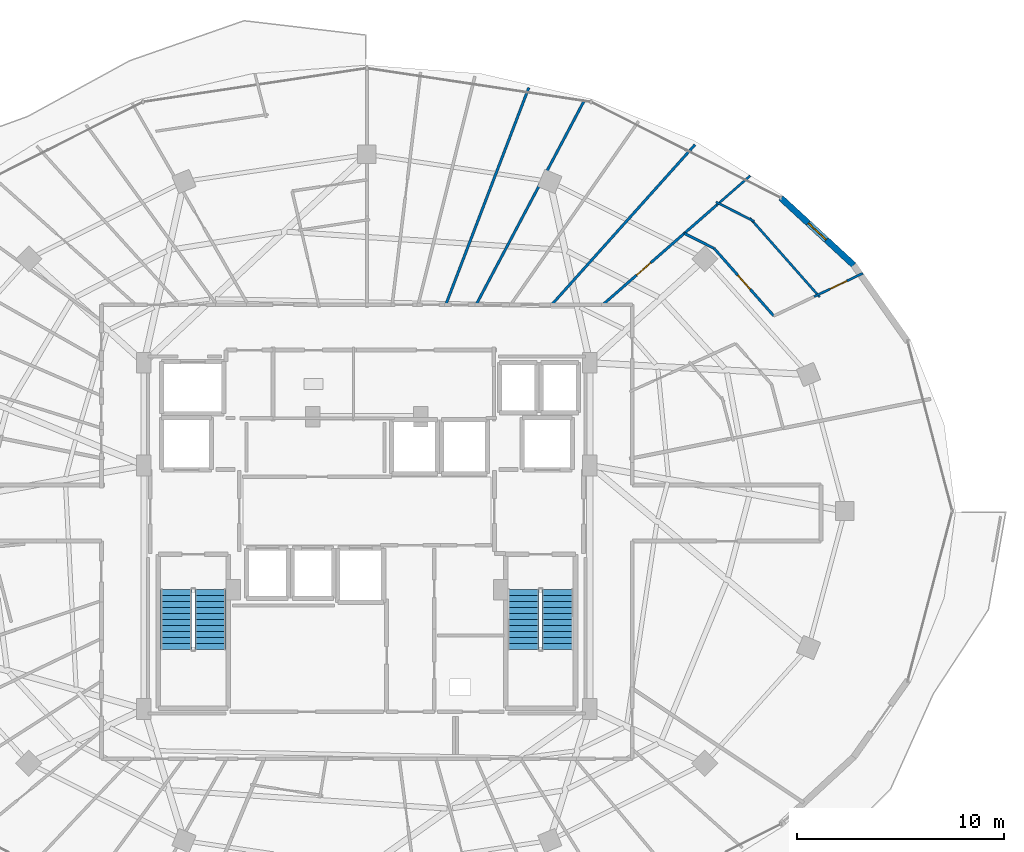
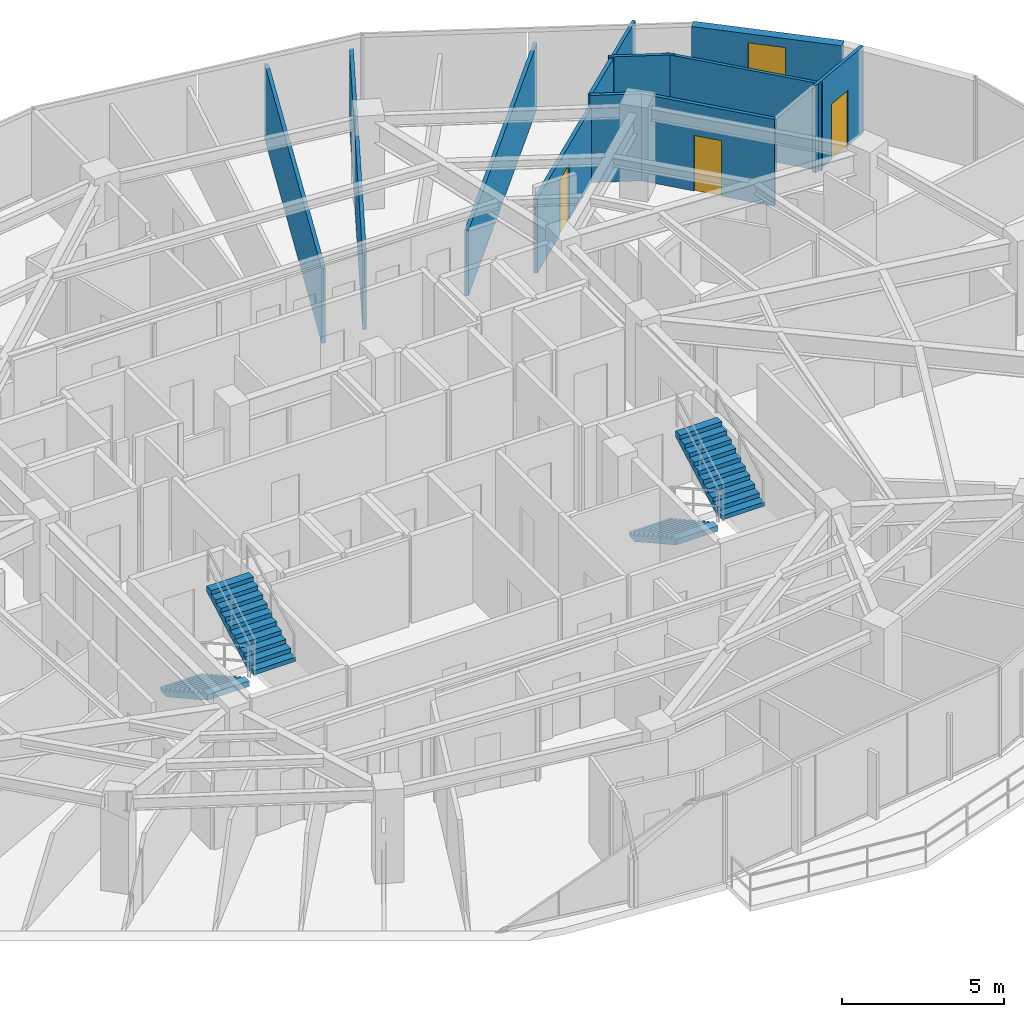
# One storey, part 30 of 34: 12 walls, 4 stair flights, 3 doors, 1 window, 4 openings, 2 elements without a shape of their own.
"""IFC4 building model written with IfcOpenShell, lengths in metres."""

from ifc_helpers import new_model, si_unit, direction, frame, frame_2d, origin, place, context, subcontext, project, spatial, polyline, rectangle, outline, extrude, material, layer, layer_set, type_object, element, fill, aggregate, save


model = new_model("IFC4")

# Units and contexts
model_context = context("Model", 3, precision=1e-05, world=origin(), true_north=direction((0.0, 1.0)))
body_context = subcontext(model_context, "Body", "Model", "MODEL_VIEW")
ifc_project = project(units=[si_unit("LENGTHUNIT", "METRE"), si_unit("AREAUNIT", "SQUARE_METRE"), si_unit("VOLUMEUNIT", "CUBIC_METRE"), si_unit("PLANEANGLEUNIT", "RADIAN"), si_unit("MASSUNIT", "GRAM", prefix="KILO")], contexts=[model_context])

# Site, building, storey
site_placement = place(None, origin())
site = spatial("IfcSite", under=ifc_project, at=site_placement, CompositionType="ELEMENT")
building_placement = place(site_placement, origin())
building = spatial("IfcBuilding", under=site, at=building_placement, Name="Vorneva Point Tower", CompositionType="ELEMENT")
storey_placement = place(building_placement, frame((0.0, 0.0, 210.75)))
storey = spatial("IfcBuildingStorey", under=building, at=storey_placement, Name="L57", CompositionType="ELEMENT", Elevation=210.75)

# Wall, opening, window
ifc_material_1 = material(Name="Precast concrete B50 (C40/50)", Category="concrete")
ifc_layer_1 = layer(ifc_material_1, 0.300048828125)
ifc_layer_set_1 = layer_set([ifc_layer_1], Name="Precast concrete B50 (C40/50)")
wall_type_1 = type_object("IfcWallType", Name="WL-EXT-300", PredefinedType="STANDARD", material=ifc_layer_set_1)
wall_1_placement = place(storey_placement, frame((61.472412109375, 37.861328125, 0.0), z_axis=(0.0, 0.0, 1.0), x_axis=(-0.735359993374, 0.677676678177, 0.0)))
wall_1 = element("IfcWall", 1, at=wall_1_placement, inside=storey, type_object=wall_type_1, Name="L57 Pale-Metal Facade Spandrel Wall 02.2", PredefinedType="STANDARD", context=body_context, shape_type="SweptSolid", body=[
    extrude(rectangle(XDim=4.774169921875, YDim=0.300048828125, at=frame_2d((2.38720703125, 0.0))), origin(), (0.0, 0.0, 1.0), 3.2900390625),
])
opening_1_placement = place(wall_1_placement, frame((1.787109375, 0.0, 0.85009765625)))
opening_1 = element("IfcOpeningElement", 2, at=opening_1_placement, cuts=wall_1, Name="Opening W-04", PredefinedType="OPENING", context=body_context, shape_type="SweptSolid", body=[
    extrude(rectangle(XDim=1.199951171875, YDim=2.10009765625, at=frame_2d((0.60009765625, 1.050048828125))), frame((0.0, 0.1650390625, 0.0), z_axis=(0.0, -1.0, 0.0), x_axis=(1.0, 0.0, 0.0)), (0.0, 0.0, 1.0), 0.329833984375),
])
ifc_material_2 = material(Name="Double low-e laminated glass IGU", Category="glass")
window_type = type_object("IfcWindowType", Name="WN-RES-1200", PartitioningType="SINGLE_PANEL", PredefinedType="WINDOW", material=ifc_material_2)
window_placement = place(opening_1_placement, origin())
window = element("IfcWindow", 3, at=window_placement, inside=storey, type_object=window_type, Name="L57 Facade Window 02", OverallHeight=2.10009765625, OverallWidth=1.199951171875, PartitioningType="SINGLE_PANEL", PredefinedType="WINDOW", context=body_context, shape_type="SweptSolid", body=[
    extrude(rectangle(XDim=1.199951171875, YDim=2.10009765625, at=frame_2d((0.60009765625, 1.050048828125))), frame((0.0, 0.030029296875, 0.0), z_axis=(0.0, -1.0, 0.0), x_axis=(1.0, 0.0, 0.0)), (0.0, 0.0, 1.0), 0.06005859375),
])
fill(opening_1, window)

# Wall, opening, door
ifc_material_3 = material(Name="Fire-rated acoustic gypsum stud partition", Category="gypsum")
ifc_layer_2 = layer(ifc_material_3, 0.110107421875)
ifc_layer_set_2 = layer_set([ifc_layer_2], Name="Fire-rated acoustic gypsum stud partition")
wall_type_2 = type_object("IfcWallType", Name="WL-PART-110", PredefinedType="PARTITIONING", material=ifc_layer_set_2)
wall_2_placement = place(storey_placement, frame((61.919189453125, 37.467529296875, 0.0), z_axis=(0.0, 0.0, 1.0), x_axis=(-0.901731167672, -0.432297237151, 0.0)))
wall_2 = element("IfcWall", 4, at=wall_2_placement, inside=storey, type_object=wall_type_2, Name="L57 Interior Partition 081", PredefinedType="PARTITIONING", context=body_context, shape_type="SweptSolid", body=[
    extrude(rectangle(XDim=2.616455078125, YDim=0.110107421875, at=frame_2d((1.30810546875, 0.0))), origin(), (0.0, 0.0, 1.0), 3.2900390625),
])
opening_2_placement = place(wall_2_placement, frame((0.858154296875, 0.0, 0.0)))
opening_2 = element("IfcOpeningElement", 5, at=opening_2_placement, cuts=wall_2, Name="Opening ID-01", PredefinedType="OPENING", context=body_context, shape_type="SweptSolid", body=[
    extrude(rectangle(XDim=0.89990234375, YDim=2.10009765625, at=frame_2d((0.449951171875, 1.050048828125))), frame((0.0, 0.06982421875, 0.0), z_axis=(0.0, -1.0, 0.0), x_axis=(1.0, 0.0, 0.0)), (0.0, 0.0, 1.0), 0.139892578125),
])
ifc_material_4 = material(Name="Engineered oak fire-rated door leaf", Category="wood")
door_type = type_object("IfcDoorType", Name="DR-ROOM-900", OperationType="NOTDEFINED", PredefinedType="DOOR", material=ifc_material_4)
door_1_placement = place(opening_2_placement, origin())
door_1 = element("IfcDoor", 6, at=door_1_placement, inside=storey, type_object=door_type, Name="L57 Door Living and Dining Room L57-01 / Kitchen L57-01", OperationType="SINGLE_SWING_RIGHT", OverallHeight=2.10009765625, OverallWidth=0.89990234375, PredefinedType="DOOR", context=body_context, shape_type="SweptSolid", body=[
    extrude(rectangle(XDim=0.89990234375, YDim=2.10009765625, at=frame_2d((0.449951171875, 1.050048828125))), frame((0.0, 0.02490234375, 0.0), z_axis=(0.0, -1.0, 0.0), x_axis=(1.0, 0.0, 0.0)), (0.0, 0.0, 1.0), 0.050048828125),
])
fill(opening_2, door_1)

# Walls
wall_3_placement = place(storey_placement, frame((54.8369140625, 40.899169921875, 0.0), z_axis=(0.0, 0.0, 1.0), x_axis=(0.892645505641, -0.450759360701, 0.0)))
element("IfcWall", 7, at=wall_3_placement, inside=storey, type_object=wall_type_2, Name="L57 Interior Partition 090", PredefinedType="PARTITIONING", context=body_context, shape_type="SweptSolid", body=[
    extrude(rectangle(XDim=2.0634765625, YDim=0.110107421875, at=frame_2d((1.03173828125, 0.0))), origin(), (0.0, 0.0, 1.0), 3.2900390625),
])
wall_4_placement = place(storey_placement, frame((56.461181640625, 40.136962890625, 0.0), z_axis=(0.0, 0.0, 1.0), x_axis=(0.662153993881, -0.749367792467, 0.0)))
element("IfcWall", 8, at=wall_4_placement, inside=storey, type_object=wall_type_2, Name="L57 Interior Partition 091", PredefinedType="PARTITIONING", context=body_context, shape_type="SweptSolid", body=[
    extrude(rectangle(XDim=5.0947265625, YDim=0.110107421875, at=frame_2d((2.54736328125, 0.0))), origin(), (0.0, 0.0, 1.0), 3.2900390625),
])
wall_5_placement = place(storey_placement, frame((56.484375, 42.168212890625, 0.0), z_axis=(0.0, 0.0, 1.0), x_axis=(-0.752555717051, -0.658528581562, 0.0)))
element("IfcWall", 9, at=wall_5_placement, inside=storey, type_object=wall_type_2, Name="L57 Interior Partition 092", PredefinedType="PARTITIONING", context=body_context, shape_type="SweptSolid", body=[
    extrude(rectangle(XDim=2.162841796875, YDim=0.110107421875, at=frame_2d((1.08154296875, 0.0))), origin(), (0.0, 0.0, 1.0), 3.2900390625),
])

# Wall, opening, door
ifc_layer_3 = layer(ifc_material_3, 0.125)
ifc_layer_set_3 = layer_set([ifc_layer_3], Name="Fire-rated acoustic gypsum stud partition")
wall_type_3 = type_object("IfcWallType", Name="WL-PART-125", PredefinedType="PARTITIONING", material=ifc_layer_set_3)
wall_6_placement = place(storey_placement, frame((57.62109375, 35.406982421875, 0.0), z_axis=(0.0, 0.0, 1.0), x_axis=(-0.662160377652, 0.749362151612, 0.0)))
wall_6 = element("IfcWall", 10, at=wall_6_placement, inside=storey, type_object=wall_type_3, Name="L57 Interior Partition 083", PredefinedType="PARTITIONING", context=body_context, shape_type="SweptSolid", body=[
    extrude(rectangle(XDim=4.34521484375, YDim=0.125, at=frame_2d((2.172607421875, 0.0))), origin(), (0.0, 0.0, 1.0), 3.2900390625),
])
opening_3_placement = place(wall_6_placement, frame((1.722412109375, 0.0, 0.0)))
opening_3 = element("IfcOpeningElement", 11, at=opening_3_placement, cuts=wall_6, Name="Opening ID-01", PredefinedType="OPENING", context=body_context, shape_type="SweptSolid", body=[
    extrude(rectangle(XDim=0.89990234375, YDim=2.10009765625, at=frame_2d((0.449951171875, 1.050048828125))), frame((0.0, 0.077392578125, 0.0), z_axis=(0.0, -1.0, 0.0), x_axis=(1.0, 0.0, 0.0)), (0.0, 0.0, 1.0), 0.15478515625),
])
door_2_placement = place(opening_3_placement, origin())
door_2 = element("IfcDoor", 12, at=door_2_placement, inside=storey, type_object=door_type, Name="L57 Door Living and Dining Room L57-01 / Study Room L57-01", OperationType="SINGLE_SWING_LEFT", OverallHeight=2.10009765625, OverallWidth=0.89990234375, PredefinedType="DOOR", context=body_context, shape_type="SweptSolid", body=[
    extrude(rectangle(XDim=0.89990234375, YDim=2.10009765625, at=frame_2d((0.449951171875, 1.050048828125))), frame((0.0, 0.02490234375, 0.0), z_axis=(0.0, -1.0, 0.0), x_axis=(1.0, 0.0, 0.0)), (0.0, 0.0, 1.0), 0.050048828125),
])
fill(opening_3, door_2)

# Wall
wall_7_placement = place(storey_placement, frame((54.743896484375, 38.6630859375, 0.0), z_axis=(0.0, 0.0, 1.0), x_axis=(-0.892600010283, 0.450849444541, 0.0)))
element("IfcWall", 13, at=wall_7_placement, inside=storey, type_object=wall_type_3, Name="L57 Interior Partition 084", PredefinedType="PARTITIONING", context=body_context, shape_type="SweptSolid", body=[
    extrude(rectangle(XDim=1.60986328125, YDim=0.125, at=frame_2d((0.804931640625, 0.0))), origin(), (0.0, 0.0, 1.0), 3.2900390625),
])

# Wall, opening, door
wall_8_placement = place(storey_placement, frame((53.306884765625, 39.388916015625, 0.0), z_axis=(0.0, 0.0, 1.0), x_axis=(-0.752631709834, -0.658441728137, 0.0)))
wall_8 = element("IfcWall", 14, at=wall_8_placement, inside=storey, type_object=wall_type_3, Name="L57 Interior Partition 085", PredefinedType="PARTITIONING", context=body_context, shape_type="SweptSolid", body=[
    extrude(rectangle(XDim=5.222900390625, YDim=0.125, at=frame_2d((2.611328125, 0.0))), origin(), (0.0, 0.0, 1.0), 2.823974609375),
])
opening_4_placement = place(wall_8_placement, frame((2.16162109375, 0.0, 0.0)))
opening_4 = element("IfcOpeningElement", 15, at=opening_4_placement, cuts=wall_8, Name="Opening ID-01", PredefinedType="OPENING", context=body_context, shape_type="SweptSolid", body=[
    extrude(rectangle(XDim=0.89990234375, YDim=2.10009765625, at=frame_2d((0.449951171875, 1.050048828125))), frame((0.0, 0.077392578125, 0.0), z_axis=(0.0, -1.0, 0.0), x_axis=(1.0, 0.0, 0.0)), (0.0, 0.0, 1.0), 0.15478515625),
])
door_3_placement = place(opening_4_placement, origin())
door_3 = element("IfcDoor", 16, at=door_3_placement, inside=storey, type_object=door_type, Name="L57 Door Living and Dining Room L57-01 / Master Bedroom L57-01.1", OperationType="SINGLE_SWING_RIGHT", OverallHeight=2.10009765625, OverallWidth=0.89990234375, PredefinedType="DOOR", context=body_context, shape_type="SweptSolid", body=[
    extrude(rectangle(XDim=0.89990234375, YDim=2.10009765625, at=frame_2d((0.449951171875, 1.050048828125))), frame((0.0, 0.02490234375, 0.0), z_axis=(0.0, -1.0, 0.0), x_axis=(1.0, 0.0, 0.0)), (0.0, 0.0, 1.0), 0.050048828125),
])
fill(opening_4, door_3)

# Walls
wall_9_placement = place(storey_placement, frame((54.856201171875, 40.744140625, 0.0), z_axis=(0.0, 0.0, 1.0), x_axis=(-0.752679548168, -0.658387042528, 0.0)))
element("IfcWall", 17, at=wall_9_placement, inside=storey, type_object=wall_type_3, Name="L57 Interior Partition 093", PredefinedType="PARTITIONING", context=body_context, shape_type="SweptSolid", body=[
    extrude(rectangle(XDim=2.058349609375, YDim=0.125, at=frame_2d((1.029296875, 0.0))), origin(), (0.0, 0.0, 1.0), 3.2900390625),
])
wall_10_placement = place(storey_placement, frame((53.822021484375, 43.6650390625, 0.0), z_axis=(0.0, 0.0, 1.0), x_axis=(-0.667166856079, -0.74490830721, 0.0)))
element("IfcWall", 18, at=wall_10_placement, inside=storey, type_object=wall_type_3, Name="L57 Interior Partition 094", PredefinedType="PARTITIONING", context=body_context, shape_type="SweptSolid", body=[
    extrude(rectangle(XDim=10.357177734375, YDim=0.125, at=frame_2d((5.1787109375, 0.0))), origin(), (0.0, 0.0, 1.0), 2.48193359375),
])
wall_11_placement = place(storey_placement, frame((48.48193359375, 45.797119140625, 0.0), z_axis=(0.0, 0.0, 1.0), x_axis=(-0.46793402924, -0.883763398359, 0.0)))
element("IfcWall", 19, at=wall_11_placement, inside=storey, type_object=wall_type_3, Name="L57 Interior Partition 096", PredefinedType="PARTITIONING", context=body_context, shape_type="SweptSolid", body=[
    extrude(rectangle(XDim=11.142333984375, YDim=0.125, at=frame_2d((5.5712890625, 0.0))), origin(), (0.0, 0.0, 1.0), 2.823974609375),
])
wall_12_placement = place(storey_placement, frame((45.804931640625, 46.412109375, 0.0), z_axis=(0.0, 0.0, 1.0), x_axis=(-0.357119008819, -0.934058891901, 0.0)))
element("IfcWall", 20, at=wall_12_placement, inside=storey, type_object=wall_type_3, Name="L57 Interior Partition 097", PredefinedType="PARTITIONING", context=body_context, shape_type="SweptSolid", body=[
    extrude(rectangle(XDim=11.20068359375, YDim=0.125, at=frame_2d((5.600341796875, 0.0))), origin(), (0.0, 0.0, 1.0), 2.823974609375),
])

# Stair, stair flights
ifc_material_5 = material(Name="Concrete B50 (C40/50)", Category="concrete")
stair_type = type_object("IfcStairType", Name="ST-DOG-1500", PredefinedType="HALF_TURN_STAIR", material=ifc_material_5)
stair_1_placement = place(storey_placement, origin())
stair_1 = element("IfcStair", 21, at=stair_1_placement, inside=storey, type_object=stair_type, Name="L57 ST1", PredefinedType="HALF_TURN_STAIR")
stair_flight_type = type_object("IfcStairFlightType", Name="STF-1500", PredefinedType="STRAIGHT", material=ifc_material_5)
stair_flight_1_placement = place(storey_placement, frame((28.800048828125, 22.219970703125, 0.0), z_axis=(0.0, 0.0, 1.0), x_axis=(0.0, -1.0, 0.0)))
stair_flight_1 = element("IfcStairFlight", 22, at=stair_flight_1_placement, type_object=stair_flight_type, Name="ST1 flight 1", NumberOfRisers=11, NumberOfTreads=10, PredefinedType="STRAIGHT", RiserHeight=0.161363636, TreadLength=0.29, context=body_context, shape_type="SweptSolid", body=[
    extrude(outline(polyline([(0.0, 0.0), (0.0, 0.161376953125), (0.2900390625, 0.161376953125), (0.2900390625, 0.32275390625), (0.580078125, 0.32275390625), (0.580078125, 0.484130859375), (0.8701171875, 0.484130859375), (0.8701171875, 0.6455078125), (1.159912109375, 0.6455078125), (1.159912109375, 0.806884765625), (1.449951171875, 0.806884765625), (1.449951171875, 0.96826171875), (1.739990234375, 0.96826171875), (1.739990234375, 1.129638671875), (2.030029296875, 1.129638671875), (2.030029296875, 1.291015625), (2.320068359375, 1.291015625), (2.320068359375, 1.452392578125), (2.610107421875, 1.452392578125), (2.610107421875, 1.613525390625), (2.89990234375, 1.613525390625), (2.89990234375, 1.77490234375), (2.89990234375, 1.40771484375), (0.3701171875, 0.0), (0.0, 0.0)])), frame((0.0, 0.75, 0.0), z_axis=(0.0, -1.0, 0.0), x_axis=(1.0, 0.0, 0.0)), (0.0, 0.0, 1.0), 1.5),
])
stair_flight_2_placement = place(storey_placement, frame((30.449951171875, 19.320068359375, 1.77490234375), z_axis=(0.0, 0.0, 1.0), x_axis=(0.0, 1.0, 0.0)))
stair_flight_2 = element("IfcStairFlight", 23, at=stair_flight_2_placement, type_object=stair_flight_type, Name="ST1 flight 2", NumberOfRisers=11, NumberOfTreads=10, PredefinedType="STRAIGHT", RiserHeight=0.161363636, TreadLength=0.29, context=body_context, shape_type="SweptSolid", body=[
    extrude(outline(polyline([(0.0, 0.0), (0.0, 0.161376953125), (0.2900390625, 0.161376953125), (0.2900390625, 0.32275390625), (0.580078125, 0.32275390625), (0.580078125, 0.484130859375), (0.8701171875, 0.484130859375), (0.8701171875, 0.6455078125), (1.159912109375, 0.6455078125), (1.159912109375, 0.806884765625), (1.449951171875, 0.806884765625), (1.449951171875, 0.96826171875), (1.739990234375, 0.96826171875), (1.739990234375, 1.129638671875), (2.030029296875, 1.129638671875), (2.030029296875, 1.291015625), (2.320068359375, 1.291015625), (2.320068359375, 1.452392578125), (2.610107421875, 1.452392578125), (2.610107421875, 1.613525390625), (2.89990234375, 1.613525390625), (2.89990234375, 1.77490234375), (2.89990234375, 1.40771484375), (0.3701171875, 0.0), (0.0, 0.0)])), frame((0.0, 0.75, 0.0), z_axis=(0.0, -1.0, 0.0), x_axis=(1.0, 0.0, 0.0)), (0.0, 0.0, 1.0), 1.5),
])
aggregate(stair_1, [stair_flight_1, stair_flight_2])

stair_2_placement = place(storey_placement, origin())
stair_2 = element("IfcStair", 24, at=stair_2_placement, inside=storey, type_object=stair_type, Name="L57 ST2", PredefinedType="HALF_TURN_STAIR")
stair_flight_3_placement = place(storey_placement, frame((45.550048828125, 22.219970703125, 0.0), z_axis=(0.0, 0.0, 1.0), x_axis=(0.0, -1.0, 0.0)))
stair_flight_3 = element("IfcStairFlight", 25, at=stair_flight_3_placement, type_object=stair_flight_type, Name="ST2 flight 1", NumberOfRisers=11, NumberOfTreads=10, PredefinedType="STRAIGHT", RiserHeight=0.161363636, TreadLength=0.29, context=body_context, shape_type="SweptSolid", body=[
    extrude(outline(polyline([(0.0, 0.0), (0.0, 0.161376953125), (0.2900390625, 0.161376953125), (0.2900390625, 0.32275390625), (0.580078125, 0.32275390625), (0.580078125, 0.484130859375), (0.8701171875, 0.484130859375), (0.8701171875, 0.6455078125), (1.159912109375, 0.6455078125), (1.159912109375, 0.806884765625), (1.449951171875, 0.806884765625), (1.449951171875, 0.96826171875), (1.739990234375, 0.96826171875), (1.739990234375, 1.129638671875), (2.030029296875, 1.129638671875), (2.030029296875, 1.291015625), (2.320068359375, 1.291015625), (2.320068359375, 1.452392578125), (2.610107421875, 1.452392578125), (2.610107421875, 1.613525390625), (2.89990234375, 1.613525390625), (2.89990234375, 1.77490234375), (2.89990234375, 1.40771484375), (0.3701171875, 0.0), (0.0, 0.0)])), frame((0.0, 0.75, 0.0), z_axis=(0.0, -1.0, 0.0), x_axis=(1.0, 0.0, 0.0)), (0.0, 0.0, 1.0), 1.5),
])
stair_flight_4_placement = place(storey_placement, frame((47.199951171875, 19.320068359375, 1.77490234375), z_axis=(0.0, 0.0, 1.0), x_axis=(0.0, 1.0, 0.0)))
stair_flight_4 = element("IfcStairFlight", 26, at=stair_flight_4_placement, type_object=stair_flight_type, Name="ST2 flight 2", NumberOfRisers=11, NumberOfTreads=10, PredefinedType="STRAIGHT", RiserHeight=0.161363636, TreadLength=0.29, context=body_context, shape_type="SweptSolid", body=[
    extrude(outline(polyline([(0.0, 0.0), (0.0, 0.161376953125), (0.2900390625, 0.161376953125), (0.2900390625, 0.32275390625), (0.580078125, 0.32275390625), (0.580078125, 0.484130859375), (0.8701171875, 0.484130859375), (0.8701171875, 0.6455078125), (1.159912109375, 0.6455078125), (1.159912109375, 0.806884765625), (1.449951171875, 0.806884765625), (1.449951171875, 0.96826171875), (1.739990234375, 0.96826171875), (1.739990234375, 1.129638671875), (2.030029296875, 1.129638671875), (2.030029296875, 1.291015625), (2.320068359375, 1.291015625), (2.320068359375, 1.452392578125), (2.610107421875, 1.452392578125), (2.610107421875, 1.613525390625), (2.89990234375, 1.613525390625), (2.89990234375, 1.77490234375), (2.89990234375, 1.40771484375), (0.3701171875, 0.0), (0.0, 0.0)])), frame((0.0, 0.75, 0.0), z_axis=(0.0, -1.0, 0.0), x_axis=(1.0, 0.0, 0.0)), (0.0, 0.0, 1.0), 1.5),
])
aggregate(stair_2, [stair_flight_3, stair_flight_4])

save(model, "model.ifc")
